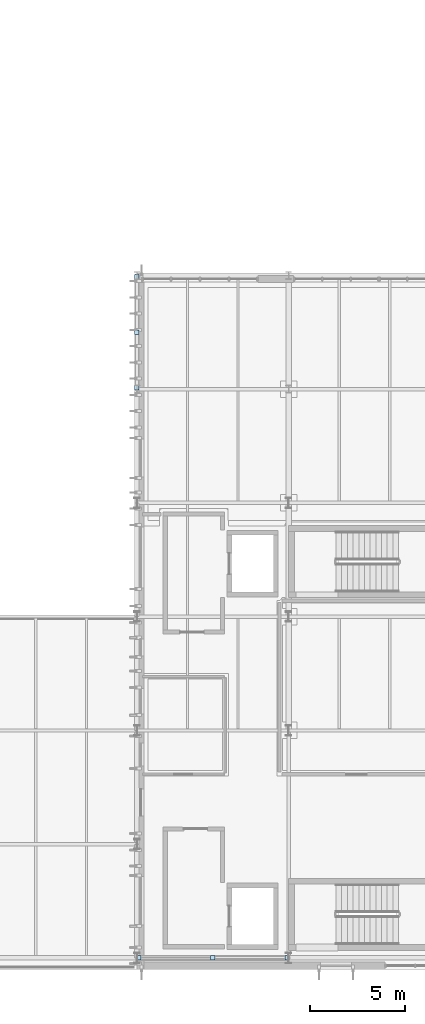
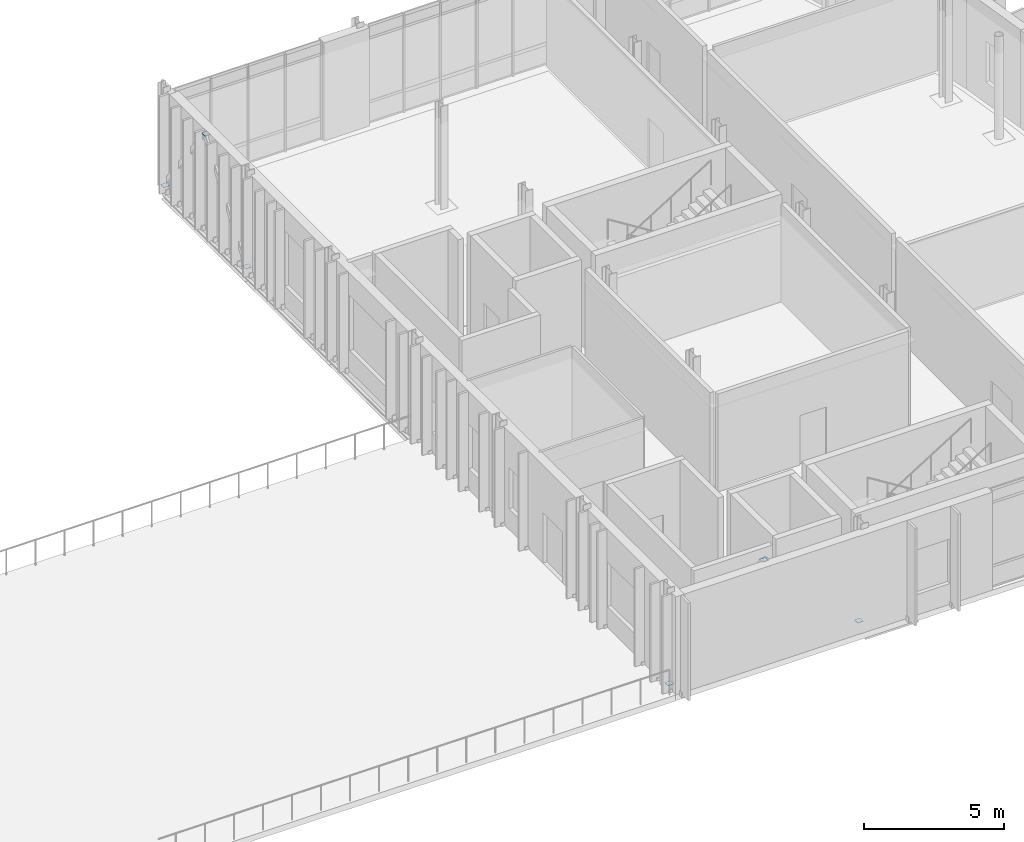
# One storey, part 41 of 62: 6 plates.
"""IFC4 building model written with IfcOpenShell, lengths in metres."""

from ifc_helpers import new_model, si_unit, direction, frame, origin, origin_2d, place, context, subcontext, project, spatial, rectangle, extrude, material, layer, layer_set, type_object, element, save


model = new_model("IFC4")

# Units and contexts
model_context = context("Model", 3, precision=1e-05, world=origin(), true_north=direction((0.0, 1.0)))
body_context = subcontext(model_context, "Body", "Model", "MODEL_VIEW")
ifc_project = project(units=[si_unit("LENGTHUNIT", "METRE"), si_unit("AREAUNIT", "SQUARE_METRE"), si_unit("VOLUMEUNIT", "CUBIC_METRE"), si_unit("PLANEANGLEUNIT", "RADIAN"), si_unit("MASSUNIT", "GRAM", prefix="KILO")], contexts=[model_context])

# Site, building, storey
site_placement = place(None, origin())
site = spatial("IfcSite", under=ifc_project, at=site_placement, CompositionType="ELEMENT")
building_placement = place(site_placement, origin())
building = spatial("IfcBuilding", under=site, at=building_placement, Name="Cymarion Research Institute", CompositionType="ELEMENT")
storey_placement = place(building_placement, frame((0.0, 0.0, 18.300048828125)))
storey = spatial("IfcBuildingStorey", under=building, at=storey_placement, Name="L04", CompositionType="ELEMENT", Elevation=18.300048828125)

# Plates
ifc_material = material(Name="Steel S355", Category="steel")
ifc_layer = layer(ifc_material, 0.011962890625)
ifc_layer_set = layer_set([ifc_layer], Name="Steel S355")
plate_type = type_object("IfcPlateType", Name="STEEL NODE GUSSET PLATE CP02 12MM", PredefinedType="USERDEFINED", material=ifc_layer_set)
for number, where, z_axis, x_axis, name in (
    (1, (142.60009765625, 5.5, 4.1337890625), (0.0, 0.0, 1.0), (1.0, 0.0, 0.0), "L04 V1 chevron apex gusset plate"),
    (2, (138.6845703125, 5.5, 0.11376953125), (0.0, 0.0, 1.0), (1.0, 0.0, 0.0), "L04 V1 chevron base gusset plate #1"),
    (3, (146.515380859375, 5.5, 0.11376953125), (0.0, 0.0, 1.0), (1.0, 0.0, 0.0), "L04 V1 chevron base gusset plate #2"),
    (4, (138.60009765625, 38.5, 4.1337890625), (0.0, 0.0, 1.0), (1.0, 0.0, 0.0), "L04 V1 chevron apex gusset plate"),
    (5, (138.60009765625, 35.57177734375, 0.11376953125), (0.0, 0.0, 1.0), (1.0, 0.0, 0.0), "L04 V1 chevron base gusset plate #1"),
    (6, (138.60009765625, 41.42822265625, 0.11376953125), (0.0, 0.0, 1.0), (1.0, 0.0, 0.0), "L04 V1 chevron base gusset plate #2"),
):
    element("IfcPlate", number, at=place(storey_placement, frame(where, z_axis=z_axis, x_axis=x_axis)), inside=storey, type_object=plate_type, Name=name, ObjectType="GUSSET PLATE", PredefinedType="USERDEFINED", context=body_context, shape_type="SweptSolid", body=[
        extrude(rectangle(XDim=0.239990234375, YDim=0.239990234375, at=origin_2d()), origin(), (0.0, 0.0, 1.0), 0.011962890625),
    ])

save(model, "model.ifc")
